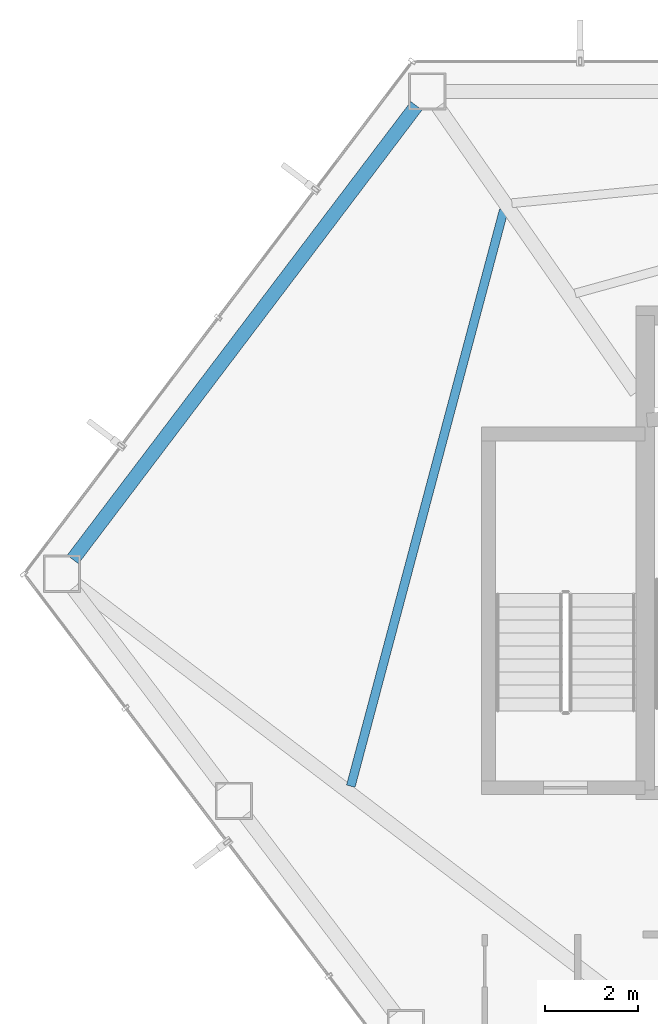
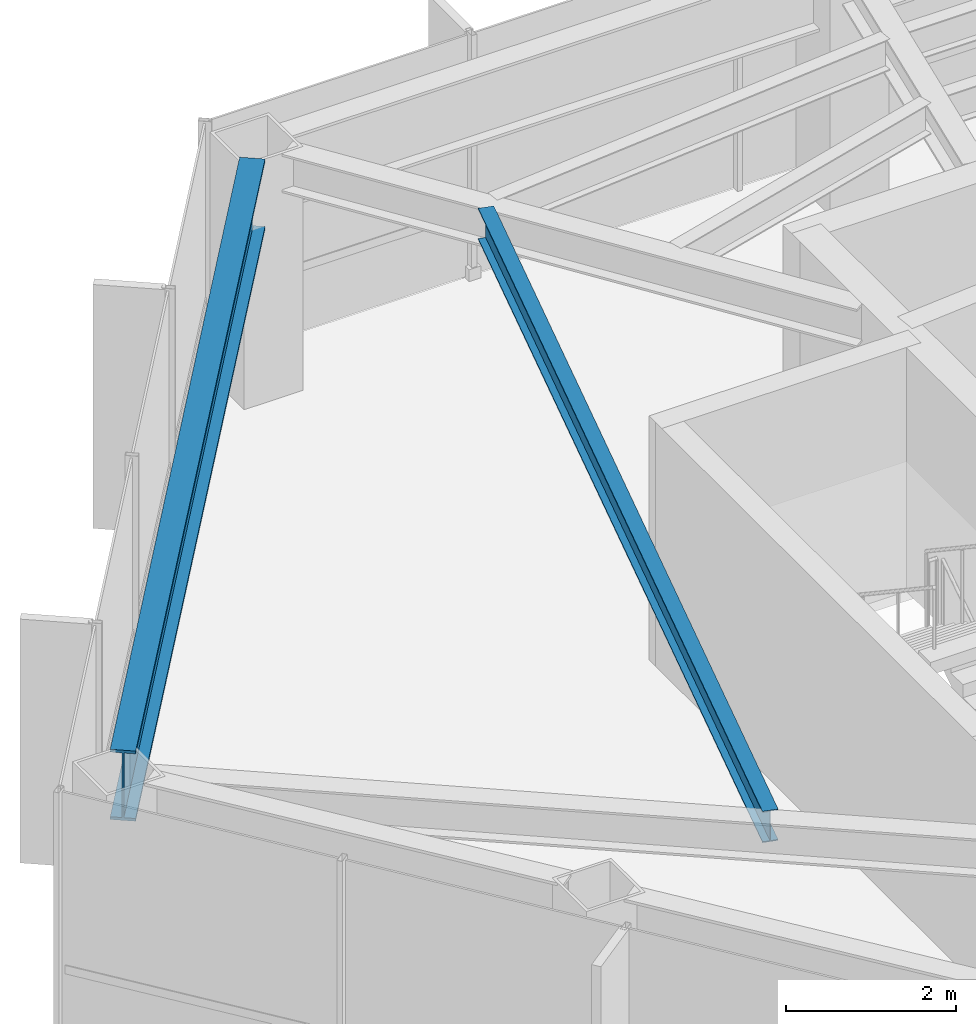
# One storey, part 10 of 28: 2 beams.
"""IFC4 building model written with IfcOpenShell, lengths in metres."""

from ifc_helpers import new_model, si_unit, direction, frame, origin, origin_2d, place, context, subcontext, project, spatial, i_section, extrude, material, material_profile, profile_set, type_object, element, save


model = new_model("IFC4")

# Units and contexts
model_context = context("Model", 3, precision=1e-05, world=origin(), true_north=direction((0.0, 1.0)))
body_context = subcontext(model_context, "Body", "Model", "MODEL_VIEW")
ifc_project = project(units=[si_unit("LENGTHUNIT", "METRE"), si_unit("AREAUNIT", "SQUARE_METRE"), si_unit("VOLUMEUNIT", "CUBIC_METRE"), si_unit("PLANEANGLEUNIT", "RADIAN"), si_unit("MASSUNIT", "GRAM", prefix="KILO")], contexts=[model_context])

# Site, building, storey
site_placement = place(None, origin())
site = spatial("IfcSite", under=ifc_project, at=site_placement, CompositionType="ELEMENT")
building_placement = place(site_placement, origin())
building = spatial("IfcBuilding", under=site, at=building_placement, Name="Zarrinselat Tower", CompositionType="ELEMENT")
storey_placement = place(building_placement, frame((0.0, 0.0, 157.080078125)))
storey = spatial("IfcBuildingStorey", under=building, at=storey_placement, Name="L38", CompositionType="ELEMENT", Elevation=157.080078125)

# Beams
ifc_material_1 = material(Name="Steel S460M", Category="steel")
ifc_material_profile_1 = material_profile(ifc_material_1, i_section(OverallWidth=0.302001953125, OverallDepth=1.008056640625, WebThickness=0.02099609375, FlangeThickness=0.0400390625, at=origin_2d()), Name="HEM 1000")
ifc_profile_set_1 = profile_set([ifc_material_profile_1], Name="Steel S460M")
beam_type_1 = type_object("IfcBeamType", Name="BM-HEM1000", PredefinedType="BEAM", material=ifc_profile_set_1)
beam_1_placement = place(storey_placement, frame((16.29736328125, 38.207275390625, 2.995849609375), z_axis=(0.603841164006, 0.797104666058, 0.0), x_axis=(-0.797104666058, 0.603841164006, 0.0)))
element("IfcBeam", 1, at=beam_1_placement, inside=storey, type_object=beam_type_1, Name="L38 Perimeter Spandrel Girder SP05", PredefinedType="BEAM", context=body_context, shape_type="SweptSolid", body=[
    extrude(i_section(OverallWidth=0.302001953125, OverallDepth=1.008056640625, WebThickness=0.02099609375, FlangeThickness=0.0400390625, at=origin_2d()), origin(), (0.0, 0.0, 1.0), 12.232177734375),
])
ifc_material_2 = material(Name="Steel S355J2", Category="steel")
ifc_material_profile_2 = material_profile(ifc_material_2, i_section(OverallWidth=0.18994140625, OverallDepth=0.449951171875, WebThickness=0.009521484375, FlangeThickness=0.0146484375, at=origin_2d()), Name="IPE 450")
ifc_profile_set_2 = profile_set([ifc_material_profile_2], Name="Steel S355J2")
beam_type_2 = type_object("IfcBeamType", Name="BM-IPE450", PredefinedType="JOIST", material=ifc_profile_set_2)
beam_2_placement = place(storey_placement, frame((22.27294921875, 33.334716796875, 3.27490234375), z_axis=(0.256676711842, 0.966497317947, 0.0), x_axis=(-0.966497317947, 0.256676711842, 0.0)))
element("IfcBeam", 2, at=beam_2_placement, inside=storey, type_object=beam_type_2, Name="L38 Composite Floor Joist 9-1", PredefinedType="JOIST", context=body_context, shape_type="SweptSolid", body=[
    extrude(i_section(OverallWidth=0.18994140625, OverallDepth=0.449951171875, WebThickness=0.009521484375, FlangeThickness=0.0146484375, at=origin_2d()), origin(), (0.0, 0.0, 1.0), 12.809326171875),
])

save(model, "model.ifc")
